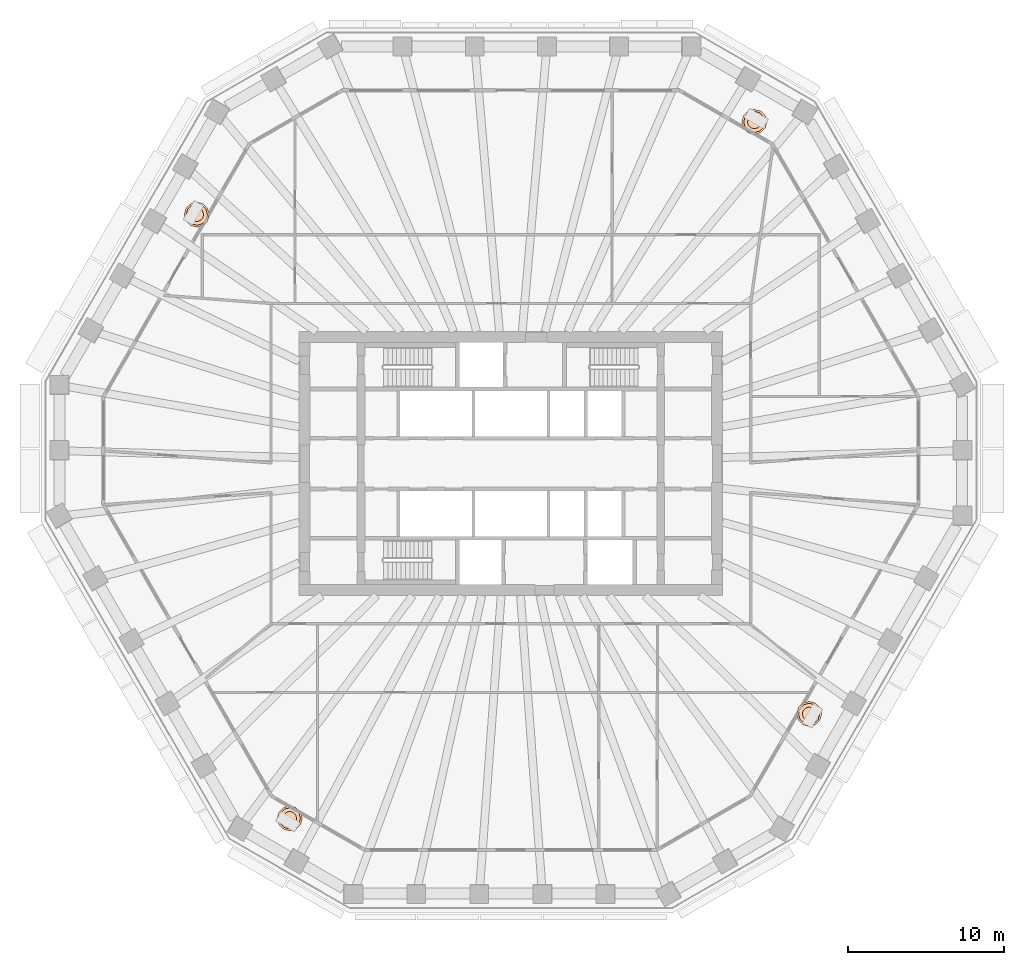
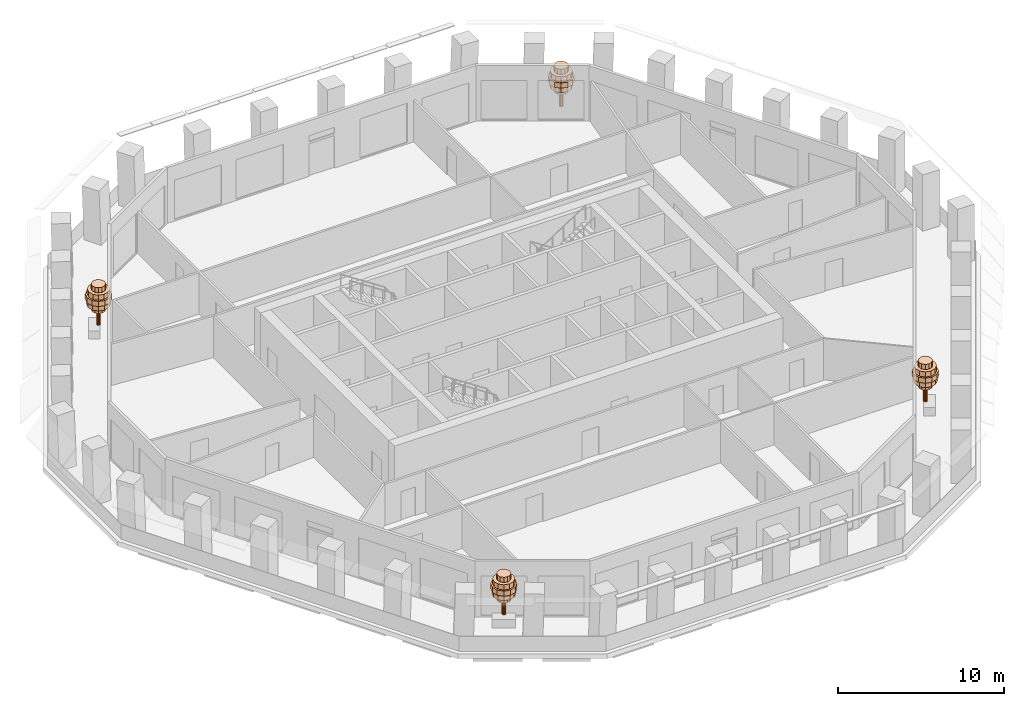
# One storey, part 12 of 12: 4 geographic elements.
"""IFC4 building model written with IfcOpenShell, lengths in metres."""

from ifc_helpers import new_model, si_unit, direction, frame, origin, place, context, subcontext, project, spatial, polyline, outline, extrude, material, type_object, element, save


model = new_model("IFC4")

# Units and contexts
model_context = context("Model", 3, precision=1e-05, world=origin(), true_north=direction((0.0, 1.0)))
body_context = subcontext(model_context, "Body", "Model", "MODEL_VIEW")
ifc_project = project(units=[si_unit("LENGTHUNIT", "METRE"), si_unit("AREAUNIT", "SQUARE_METRE"), si_unit("VOLUMEUNIT", "CUBIC_METRE"), si_unit("PLANEANGLEUNIT", "RADIAN"), si_unit("MASSUNIT", "GRAM", prefix="KILO")], contexts=[model_context])

# Site, building, storey
site_placement = place(None, origin())
site = spatial("IfcSite", under=ifc_project, at=site_placement, CompositionType="ELEMENT")
building_placement = place(site_placement, origin())
building = spatial("IfcBuilding", under=site, at=building_placement, Name="Frailejon Research Tower", CompositionType="ELEMENT")
storey_placement = place(building_placement, frame((0.0, 0.0, 171.60009765625)))
storey = spatial("IfcBuildingStorey", under=building, at=storey_placement, Name="L37", CompositionType="ELEMENT", Elevation=171.60009765625)

# Geographic elements
ifc_material = material(Name="Foliage, green")
geographic_element_type = type_object("IfcGeographicElementType", Name="Frailejon tree, loggia", PredefinedType="USERDEFINED", material=ifc_material)
geographic_element_1_placement = place(storey_placement, frame((15.58935546875, 21.878173828125, 0.599853515625)))
element("IfcGeographicElement", 1, at=geographic_element_1_placement, inside=storey, type_object=geographic_element_type, Name="Tree L37", ObjectType="TREE", PredefinedType="USERDEFINED", context=body_context, shape_type="SweptSolid", body=[
    extrude(outline(polyline([(0.1298828125, 0.0), (0.112548828125, 0.06494140625), (0.06494140625, 0.112548828125), (0.0, 0.1298828125), (-0.06494140625, 0.112548828125), (-0.112548828125, 0.06494140625), (-0.1298828125, 0.0), (-0.112548828125, -0.06494140625), (-0.06494140625, -0.112548828125), (0.0, -0.1298828125), (0.06494140625, -0.112548828125), (0.112548828125, -0.06494140625), (0.1298828125, 0.0)])), origin(), (0.0, 0.0, 1.0), 2.239990234375),
    extrude(outline(polyline([(0.43994140625, 0.0), (0.381103515625, 0.219970703125), (0.219970703125, 0.381103515625), (0.0, 0.43994140625), (-0.219970703125, 0.381103515625), (-0.381103515625, 0.219970703125), (-0.43994140625, 0.0), (-0.381103515625, -0.219970703125), (-0.219970703125, -0.381103515625), (0.0, -0.43994140625), (0.219970703125, -0.381103515625), (0.381103515625, -0.219970703125), (0.43994140625, 0.0)])), frame((0.0, 0.0, 1.10009765625)), (0.0, 0.0, 1.0), 0.3798828125),
    extrude(outline(polyline([(0.719970703125, 0.0), (0.62353515625, 0.360107421875), (0.360107421875, 0.62353515625), (0.0, 0.719970703125), (-0.360107421875, 0.62353515625), (-0.62353515625, 0.360107421875), (-0.719970703125, 0.0), (-0.62353515625, -0.360107421875), (-0.360107421875, -0.62353515625), (0.0, -0.719970703125), (0.360107421875, -0.62353515625), (0.62353515625, -0.360107421875), (0.719970703125, 0.0)])), frame((0.0, 0.0, 1.47998046875)), (0.0, 0.0, 1.0), 0.3798828125),
    extrude(outline(polyline([(0.800048828125, 0.0), (0.69287109375, 0.39990234375), (0.39990234375, 0.69287109375), (0.0, 0.800048828125), (-0.39990234375, 0.69287109375), (-0.69287109375, 0.39990234375), (-0.800048828125, 0.0), (-0.69287109375, -0.39990234375), (-0.39990234375, -0.69287109375), (0.0, -0.800048828125), (0.39990234375, -0.69287109375), (0.69287109375, -0.39990234375), (0.800048828125, 0.0)])), frame((0.0, 0.0, 1.860107421875)), (0.0, 0.0, 1.0), 0.3798828125),
    extrude(outline(polyline([(0.679931640625, 0.0), (0.5888671875, 0.340087890625), (0.340087890625, 0.5888671875), (0.0, 0.679931640625), (-0.340087890625, 0.5888671875), (-0.5888671875, 0.340087890625), (-0.679931640625, 0.0), (-0.5888671875, -0.340087890625), (-0.340087890625, -0.5888671875), (0.0, -0.679931640625), (0.340087890625, -0.5888671875), (0.5888671875, -0.340087890625), (0.679931640625, 0.0)])), frame((0.0, 0.0, 2.239990234375)), (0.0, 0.0, 1.0), 0.3798828125),
    extrude(outline(polyline([(0.43994140625, 0.0), (0.381103515625, 0.219970703125), (0.219970703125, 0.381103515625), (0.0, 0.43994140625), (-0.219970703125, 0.381103515625), (-0.381103515625, 0.219970703125), (-0.43994140625, 0.0), (-0.381103515625, -0.219970703125), (-0.219970703125, -0.381103515625), (0.0, -0.43994140625), (0.219970703125, -0.381103515625), (0.381103515625, -0.219970703125), (0.43994140625, 0.0)])), frame((0.0, 0.0, 2.6201171875)), (0.0, 0.0, 1.0), 0.3798828125),
])
geographic_element_2_placement = place(storey_placement, frame((-20.10400390625, 15.938232421875, 0.599853515625)))
element("IfcGeographicElement", 2, at=geographic_element_2_placement, inside=storey, type_object=geographic_element_type, Name="Tree L37", ObjectType="TREE", PredefinedType="USERDEFINED", context=body_context, shape_type="SweptSolid", body=[
    extrude(outline(polyline([(0.1298828125, 0.0), (0.112548828125, 0.06494140625), (0.06494140625, 0.112548828125), (0.0, 0.1298828125), (-0.06494140625, 0.112548828125), (-0.112548828125, 0.06494140625), (-0.1298828125, 0.0), (-0.112548828125, -0.06494140625), (-0.06494140625, -0.112548828125), (0.0, -0.1298828125), (0.06494140625, -0.112548828125), (0.112548828125, -0.06494140625), (0.1298828125, 0.0)])), origin(), (0.0, 0.0, 1.0), 2.239990234375),
    extrude(outline(polyline([(0.43994140625, 0.0), (0.381103515625, 0.219970703125), (0.219970703125, 0.381103515625), (0.0, 0.43994140625), (-0.219970703125, 0.381103515625), (-0.381103515625, 0.219970703125), (-0.43994140625, 0.0), (-0.381103515625, -0.219970703125), (-0.219970703125, -0.381103515625), (0.0, -0.43994140625), (0.219970703125, -0.381103515625), (0.381103515625, -0.219970703125), (0.43994140625, 0.0)])), frame((0.0, 0.0, 1.10009765625)), (0.0, 0.0, 1.0), 0.3798828125),
    extrude(outline(polyline([(0.719970703125, 0.0), (0.62353515625, 0.360107421875), (0.360107421875, 0.62353515625), (0.0, 0.719970703125), (-0.360107421875, 0.62353515625), (-0.62353515625, 0.360107421875), (-0.719970703125, 0.0), (-0.62353515625, -0.360107421875), (-0.360107421875, -0.62353515625), (0.0, -0.719970703125), (0.360107421875, -0.62353515625), (0.62353515625, -0.360107421875), (0.719970703125, 0.0)])), frame((0.0, 0.0, 1.47998046875)), (0.0, 0.0, 1.0), 0.3798828125),
    extrude(outline(polyline([(0.800048828125, 0.0), (0.69287109375, 0.39990234375), (0.39990234375, 0.69287109375), (0.0, 0.800048828125), (-0.39990234375, 0.69287109375), (-0.69287109375, 0.39990234375), (-0.800048828125, 0.0), (-0.69287109375, -0.39990234375), (-0.39990234375, -0.69287109375), (0.0, -0.800048828125), (0.39990234375, -0.69287109375), (0.69287109375, -0.39990234375), (0.800048828125, 0.0)])), frame((0.0, 0.0, 1.860107421875)), (0.0, 0.0, 1.0), 0.3798828125),
    extrude(outline(polyline([(0.679931640625, 0.0), (0.5888671875, 0.340087890625), (0.340087890625, 0.5888671875), (0.0, 0.679931640625), (-0.340087890625, 0.5888671875), (-0.5888671875, 0.340087890625), (-0.679931640625, 0.0), (-0.5888671875, -0.340087890625), (-0.340087890625, -0.5888671875), (0.0, -0.679931640625), (0.340087890625, -0.5888671875), (0.5888671875, -0.340087890625), (0.679931640625, 0.0)])), frame((0.0, 0.0, 2.239990234375)), (0.0, 0.0, 1.0), 0.3798828125),
    extrude(outline(polyline([(0.43994140625, 0.0), (0.381103515625, 0.219970703125), (0.219970703125, 0.381103515625), (0.0, 0.43994140625), (-0.219970703125, 0.381103515625), (-0.381103515625, 0.219970703125), (-0.43994140625, 0.0), (-0.381103515625, -0.219970703125), (-0.219970703125, -0.381103515625), (0.0, -0.43994140625), (0.219970703125, -0.381103515625), (0.381103515625, -0.219970703125), (0.43994140625, 0.0)])), frame((0.0, 0.0, 2.6201171875)), (0.0, 0.0, 1.0), 0.3798828125),
])
geographic_element_3_placement = place(storey_placement, frame((-14.15234375, -22.7080078125, 0.599853515625)))
element("IfcGeographicElement", 3, at=geographic_element_3_placement, inside=storey, type_object=geographic_element_type, Name="Tree L37", ObjectType="TREE", PredefinedType="USERDEFINED", context=body_context, shape_type="SweptSolid", body=[
    extrude(outline(polyline([(0.1298828125, 0.0), (0.112548828125, 0.06494140625), (0.06494140625, 0.112548828125), (0.0, 0.1298828125), (-0.06494140625, 0.112548828125), (-0.112548828125, 0.06494140625), (-0.1298828125, 0.0), (-0.112548828125, -0.06494140625), (-0.06494140625, -0.112548828125), (0.0, -0.1298828125), (0.06494140625, -0.112548828125), (0.112548828125, -0.06494140625), (0.1298828125, 0.0)])), origin(), (0.0, 0.0, 1.0), 2.239990234375),
    extrude(outline(polyline([(0.43994140625, 0.0), (0.381103515625, 0.219970703125), (0.219970703125, 0.381103515625), (0.0, 0.43994140625), (-0.219970703125, 0.381103515625), (-0.381103515625, 0.219970703125), (-0.43994140625, 0.0), (-0.381103515625, -0.219970703125), (-0.219970703125, -0.381103515625), (0.0, -0.43994140625), (0.219970703125, -0.381103515625), (0.381103515625, -0.219970703125), (0.43994140625, 0.0)])), frame((0.0, 0.0, 1.10009765625)), (0.0, 0.0, 1.0), 0.3798828125),
    extrude(outline(polyline([(0.719970703125, 0.0), (0.62353515625, 0.360107421875), (0.360107421875, 0.62353515625), (0.0, 0.719970703125), (-0.360107421875, 0.62353515625), (-0.62353515625, 0.360107421875), (-0.719970703125, 0.0), (-0.62353515625, -0.360107421875), (-0.360107421875, -0.62353515625), (0.0, -0.719970703125), (0.360107421875, -0.62353515625), (0.62353515625, -0.360107421875), (0.719970703125, 0.0)])), frame((0.0, 0.0, 1.47998046875)), (0.0, 0.0, 1.0), 0.3798828125),
    extrude(outline(polyline([(0.800048828125, 0.0), (0.69287109375, 0.39990234375), (0.39990234375, 0.69287109375), (0.0, 0.800048828125), (-0.39990234375, 0.69287109375), (-0.69287109375, 0.39990234375), (-0.800048828125, 0.0), (-0.69287109375, -0.39990234375), (-0.39990234375, -0.69287109375), (0.0, -0.800048828125), (0.39990234375, -0.69287109375), (0.69287109375, -0.39990234375), (0.800048828125, 0.0)])), frame((0.0, 0.0, 1.860107421875)), (0.0, 0.0, 1.0), 0.3798828125),
    extrude(outline(polyline([(0.679931640625, 0.0), (0.5888671875, 0.340087890625), (0.340087890625, 0.5888671875), (0.0, 0.679931640625), (-0.340087890625, 0.5888671875), (-0.5888671875, 0.340087890625), (-0.679931640625, 0.0), (-0.5888671875, -0.340087890625), (-0.340087890625, -0.5888671875), (0.0, -0.679931640625), (0.340087890625, -0.5888671875), (0.5888671875, -0.340087890625), (0.679931640625, 0.0)])), frame((0.0, 0.0, 2.239990234375)), (0.0, 0.0, 1.0), 0.3798828125),
    extrude(outline(polyline([(0.43994140625, 0.0), (0.381103515625, 0.219970703125), (0.219970703125, 0.381103515625), (0.0, 0.43994140625), (-0.219970703125, 0.381103515625), (-0.381103515625, 0.219970703125), (-0.43994140625, 0.0), (-0.381103515625, -0.219970703125), (-0.219970703125, -0.381103515625), (0.0, -0.43994140625), (0.219970703125, -0.381103515625), (0.381103515625, -0.219970703125), (0.43994140625, 0.0)])), frame((0.0, 0.0, 2.6201171875)), (0.0, 0.0, 1.0), 0.3798828125),
])
geographic_element_4_placement = place(storey_placement, frame((19.097900390625, -16.021240234375, 0.599853515625)))
element("IfcGeographicElement", 4, at=geographic_element_4_placement, inside=storey, type_object=geographic_element_type, Name="Tree L37", ObjectType="TREE", PredefinedType="USERDEFINED", context=body_context, shape_type="SweptSolid", body=[
    extrude(outline(polyline([(0.1298828125, 0.0), (0.112548828125, 0.06494140625), (0.06494140625, 0.112548828125), (0.0, 0.1298828125), (-0.06494140625, 0.112548828125), (-0.112548828125, 0.06494140625), (-0.1298828125, 0.0), (-0.112548828125, -0.06494140625), (-0.06494140625, -0.112548828125), (0.0, -0.1298828125), (0.06494140625, -0.112548828125), (0.112548828125, -0.06494140625), (0.1298828125, 0.0)])), origin(), (0.0, 0.0, 1.0), 2.239990234375),
    extrude(outline(polyline([(0.43994140625, 0.0), (0.381103515625, 0.219970703125), (0.219970703125, 0.381103515625), (0.0, 0.43994140625), (-0.219970703125, 0.381103515625), (-0.381103515625, 0.219970703125), (-0.43994140625, 0.0), (-0.381103515625, -0.219970703125), (-0.219970703125, -0.381103515625), (0.0, -0.43994140625), (0.219970703125, -0.381103515625), (0.381103515625, -0.219970703125), (0.43994140625, 0.0)])), frame((0.0, 0.0, 1.10009765625)), (0.0, 0.0, 1.0), 0.3798828125),
    extrude(outline(polyline([(0.719970703125, 0.0), (0.62353515625, 0.360107421875), (0.360107421875, 0.62353515625), (0.0, 0.719970703125), (-0.360107421875, 0.62353515625), (-0.62353515625, 0.360107421875), (-0.719970703125, 0.0), (-0.62353515625, -0.360107421875), (-0.360107421875, -0.62353515625), (0.0, -0.719970703125), (0.360107421875, -0.62353515625), (0.62353515625, -0.360107421875), (0.719970703125, 0.0)])), frame((0.0, 0.0, 1.47998046875)), (0.0, 0.0, 1.0), 0.3798828125),
    extrude(outline(polyline([(0.800048828125, 0.0), (0.69287109375, 0.39990234375), (0.39990234375, 0.69287109375), (0.0, 0.800048828125), (-0.39990234375, 0.69287109375), (-0.69287109375, 0.39990234375), (-0.800048828125, 0.0), (-0.69287109375, -0.39990234375), (-0.39990234375, -0.69287109375), (0.0, -0.800048828125), (0.39990234375, -0.69287109375), (0.69287109375, -0.39990234375), (0.800048828125, 0.0)])), frame((0.0, 0.0, 1.860107421875)), (0.0, 0.0, 1.0), 0.3798828125),
    extrude(outline(polyline([(0.679931640625, 0.0), (0.5888671875, 0.340087890625), (0.340087890625, 0.5888671875), (0.0, 0.679931640625), (-0.340087890625, 0.5888671875), (-0.5888671875, 0.340087890625), (-0.679931640625, 0.0), (-0.5888671875, -0.340087890625), (-0.340087890625, -0.5888671875), (0.0, -0.679931640625), (0.340087890625, -0.5888671875), (0.5888671875, -0.340087890625), (0.679931640625, 0.0)])), frame((0.0, 0.0, 2.239990234375)), (0.0, 0.0, 1.0), 0.3798828125),
    extrude(outline(polyline([(0.43994140625, 0.0), (0.381103515625, 0.219970703125), (0.219970703125, 0.381103515625), (0.0, 0.43994140625), (-0.219970703125, 0.381103515625), (-0.381103515625, 0.219970703125), (-0.43994140625, 0.0), (-0.381103515625, -0.219970703125), (-0.219970703125, -0.381103515625), (0.0, -0.43994140625), (0.219970703125, -0.381103515625), (0.381103515625, -0.219970703125), (0.43994140625, 0.0)])), frame((0.0, 0.0, 2.6201171875)), (0.0, 0.0, 1.0), 0.3798828125),
])

save(model, "model.ifc")
